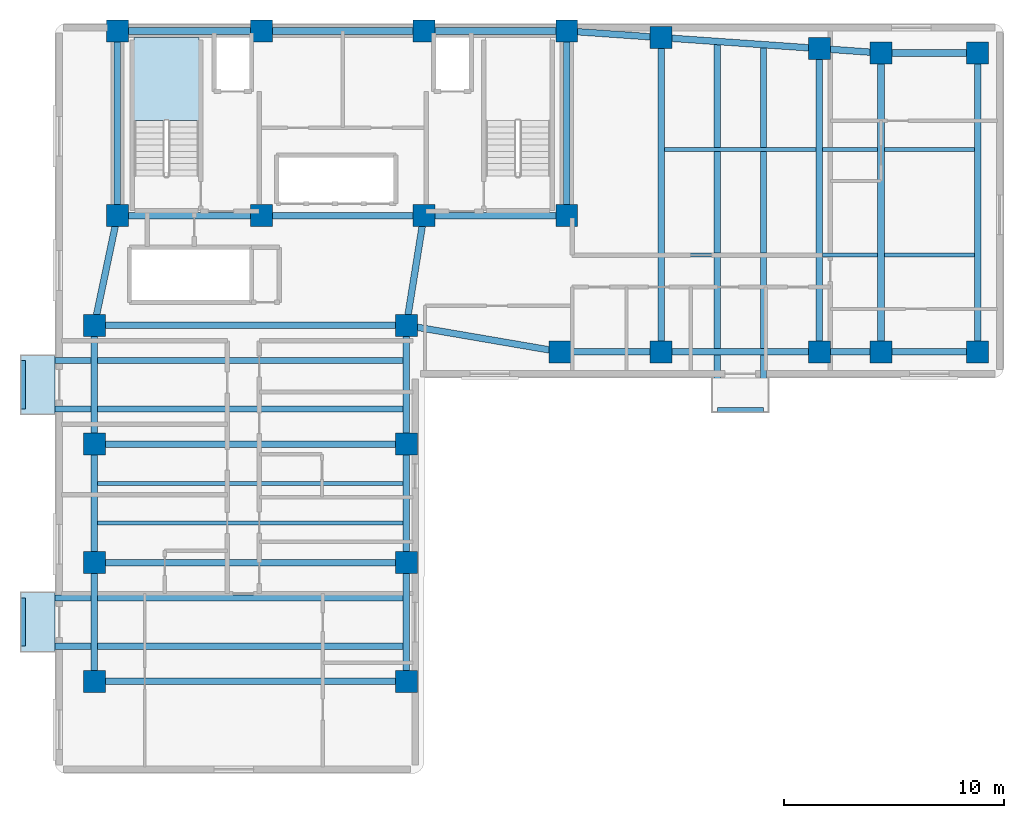
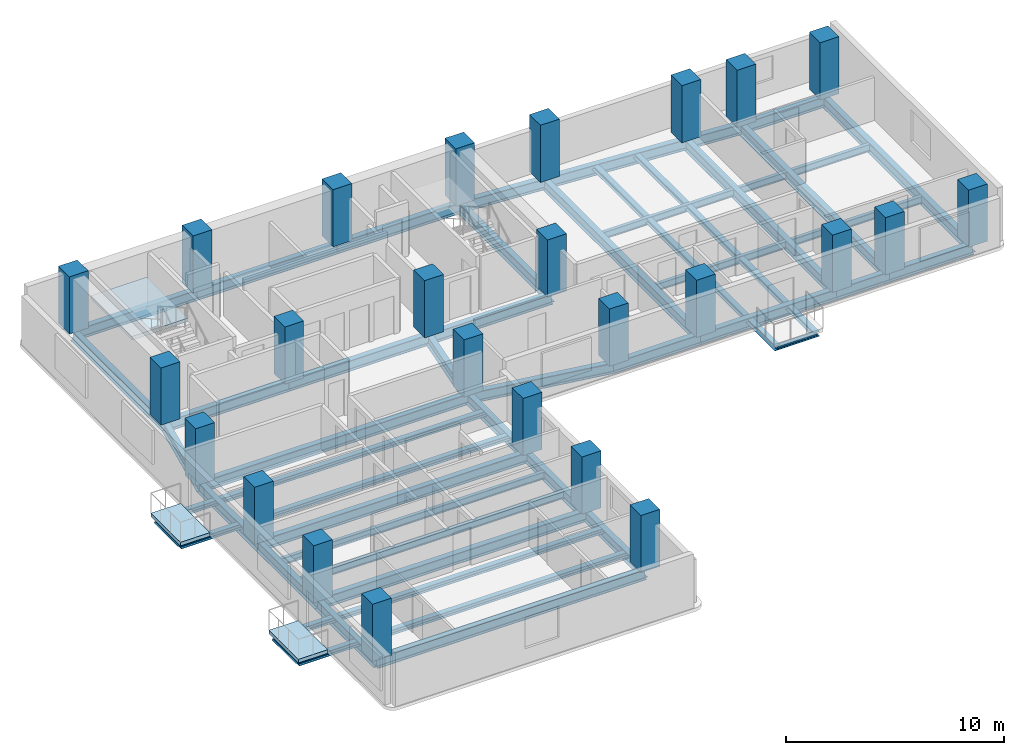
# One storey, part 1 of 7: 50 beams, 25 columns, 3 slabs, 1 element without a shape of its own.
"""IFC4 building model written with IfcOpenShell, lengths in metres."""

from ifc_helpers import new_model, si_unit, direction, frame, origin, origin_2d, place, context, subcontext, project, spatial, polyline, rectangle, i_section, outline, extrude, material, layer, layer_set, material_profile, profile_set, type_object, element, aggregate, save


model = new_model("IFC4")

# Units and contexts
model_context = context("Model", 3, precision=1e-05, world=origin(), true_north=direction((0.0, 1.0)))
body_context = subcontext(model_context, "Body", "Model", "MODEL_VIEW")
ifc_project = project(units=[si_unit("LENGTHUNIT", "METRE"), si_unit("AREAUNIT", "SQUARE_METRE"), si_unit("VOLUMEUNIT", "CUBIC_METRE"), si_unit("PLANEANGLEUNIT", "RADIAN"), si_unit("MASSUNIT", "GRAM", prefix="KILO")], contexts=[model_context])

# Site, building, storey
site_placement = place(None, origin())
site = spatial("IfcSite", under=ifc_project, at=site_placement, CompositionType="ELEMENT")
building_placement = place(site_placement, origin())
building = spatial("IfcBuilding", under=site, at=building_placement, Name="Kuzgunbayir Cultural Tower", CompositionType="ELEMENT")
storey_placement = place(building_placement, frame((0.0, 0.0, 120.199951171875)))
storey = spatial("IfcBuildingStorey", under=building, at=storey_placement, Name="L34", CompositionType="ELEMENT", Elevation=120.199951171875)

# Columns
ifc_material_1 = material(Name="Concrete C50/60", Category="concrete")
ifc_material_profile_1 = material_profile(ifc_material_1, rectangle(XDim=1.0, YDim=1.0, at=origin_2d()), Name="RC 1000x1000")
ifc_profile_set_1 = profile_set([ifc_material_profile_1], Name="Concrete C50/60")
column_type_1 = type_object("IfcColumnType", Name="COL-CORE-1000", PredefinedType="COLUMN", material=ifc_profile_set_1)
for number, where, z_axis, x_axis, name in (
    (1, (6.449951171875, 33.800048828125, 0.0), (0.0, 0.0, 1.0), (1.0, 0.0, 0.0), "L34 T1 Core Boundary Column CC1-1"),
    (2, (13.0, 33.800048828125, 0.0), (0.0, 0.0, 1.0), (1.0, 0.0, 0.0), "L34 T1 Core Boundary Column CC1-2"),
    (3, (20.39990234375, 33.800048828125, 0.0), (0.0, 0.0, 1.0), (1.0, 0.0, 0.0), "L34 T1 Core Boundary Column CC1-3"),
    (4, (26.89990234375, 33.800048828125, 0.0), (0.0, 0.0, 1.0), (1.0, 0.0, 0.0), "L34 T1 Core Boundary Column CC1-4"),
    (5, (6.449951171875, 42.199951171875, 0.0), (0.0, 0.0, 1.0), (1.0, 0.0, 0.0), "L34 T1 Core Boundary Column CC1-5"),
    (6, (13.0, 42.199951171875, 0.0), (0.0, 0.0, 1.0), (1.0, 0.0, 0.0), "L34 T1 Core Boundary Column CC1-6"),
    (7, (20.39990234375, 42.199951171875, 0.0), (0.0, 0.0, 1.0), (1.0, 0.0, 0.0), "L34 T1 Core Boundary Column CC1-7"),
    (8, (26.89990234375, 42.199951171875, 0.0), (0.0, 0.0, 1.0), (1.0, 0.0, 0.0), "L34 T1 Core Boundary Column CC1-8"),
):
    element("IfcColumn", number, at=place(storey_placement, frame(where, z_axis=z_axis, x_axis=x_axis)), inside=storey, type_object=column_type_1, Name=name, PredefinedType="COLUMN", context=body_context, shape_type="SweptSolid", body=[
        extrude(rectangle(XDim=1.0, YDim=1.0, at=origin_2d()), origin(), (0.0, 0.0, 1.0), 3.199951171875),
    ])
ifc_material_profile_2 = material_profile(ifc_material_1, rectangle(XDim=1.0, YDim=1.0, at=origin_2d()), Name="RC 1000x1000")
ifc_profile_set_2 = profile_set([ifc_material_profile_2], Name="Concrete C50/60")
column_type_2 = type_object("IfcColumnType", Name="COL-T1-1000", PredefinedType="COLUMN", material=ifc_profile_set_2)
for number, where, z_axis, x_axis, name in (
    (9, (5.39990234375, 12.60009765625, 0.0), (0.0, 0.0, 1.0), (1.0, 0.0, 0.0), "L34 Tower 1 Wing A Column T1A-W-1"),
    (10, (19.60009765625, 12.60009765625, 0.0), (0.0, 0.0, 1.0), (1.0, 0.0, 0.0), "L34 Tower 1 Wing A Column T1A-E-1"),
    (11, (5.39990234375, 18.0, 0.0), (0.0, 0.0, 1.0), (1.0, 0.0, 0.0), "L34 Tower 1 Wing A Column T1A-W-2"),
    (12, (19.60009765625, 18.0, 0.0), (0.0, 0.0, 1.0), (1.0, 0.0, 0.0), "L34 Tower 1 Wing A Column T1A-E-2"),
    (13, (5.39990234375, 23.39990234375, 0.0), (0.0, 0.0, 1.0), (1.0, 0.0, 0.0), "L34 Tower 1 Wing A Column T1A-W-3"),
    (14, (19.60009765625, 23.39990234375, 0.0), (0.0, 0.0, 1.0), (1.0, 0.0, 0.0), "L34 Tower 1 Wing A Column T1A-E-3"),
    (15, (5.39990234375, 28.800048828125, 0.0), (0.0, 0.0, 1.0), (1.0, 0.0, 0.0), "L34 Tower 1 Wing A Column T1A-W-4"),
    (16, (19.60009765625, 28.800048828125, 0.0), (0.0, 0.0, 1.0), (1.0, 0.0, 0.0), "L34 Tower 1 Wing A Column T1A-E-4"),
    (17, (26.60009765625, 27.60009765625, 0.0), (0.0, 0.0, 1.0), (1.0, 0.0, 0.0), "L34 Tower 1 Wing B Column T1B-1-1"),
    (18, (31.199951171875, 27.60009765625, 0.0), (0.0, 0.0, 1.0), (1.0, 0.0, 0.0), "L34 Tower 1 Wing B Column T1B-2-1"),
    (19, (31.199951171875, 41.89990234375, 0.0), (0.0, 0.0, 1.0), (1.0, 0.0, 0.0), "L34 Tower 1 Wing B Column T1B-2-2"),
    (20, (38.39990234375, 27.60009765625, 0.0), (0.0, 0.0, 1.0), (1.0, 0.0, 0.0), "L34 Tower 1 Wing B Column T1B-3-1"),
    (21, (38.39990234375, 41.39990234375, 0.0), (0.0, 0.0, 1.0), (1.0, 0.0, 0.0), "L34 Tower 1 Wing B Column T1B-3-2"),
    (22, (41.199951171875, 27.60009765625, 0.0), (0.0, 0.0, 1.0), (1.0, 0.0, 0.0), "L34 Tower 1 Wing B Column T1B-4-1"),
    (23, (41.199951171875, 41.199951171875, 0.0), (0.0, 0.0, 1.0), (1.0, 0.0, 0.0), "L34 Tower 1 Wing B Column T1B-4-2"),
    (24, (45.60009765625, 27.60009765625, 0.0), (0.0, 0.0, 1.0), (1.0, 0.0, 0.0), "L34 Tower 1 Wing B Column T1B-5-1"),
    (25, (45.60009765625, 41.199951171875, 0.0), (0.0, 0.0, 1.0), (1.0, 0.0, 0.0), "L34 Tower 1 Wing B Column T1B-5-2"),
):
    element("IfcColumn", number, at=place(storey_placement, frame(where, z_axis=z_axis, x_axis=x_axis)), inside=storey, type_object=column_type_2, Name=name, PredefinedType="COLUMN", context=body_context, shape_type="SweptSolid", body=[
        extrude(rectangle(XDim=1.0, YDim=1.0, at=origin_2d()), origin(), (0.0, 0.0, 1.0), 3.199951171875),
    ])

# Beams
ifc_material_2 = material(Name="Steel S355J2", Category="steel")
ifc_material_profile_3 = material_profile(ifc_material_2, i_section(OverallWidth=0.280029296875, OverallDepth=0.280029296875, WebThickness=0.010498046875, FlangeThickness=0.01806640625, FilletRadius=0.02392578125, at=origin_2d()), Name="HEB 280")
ifc_profile_set_3 = profile_set([ifc_material_profile_3], Name="Steel S355J2")
beam_type_1 = type_object("IfcBeamType", Name="BM-BAL-HEB280", PredefinedType="BEAM", material=ifc_profile_set_3)
for number, where, z_axis, x_axis, name in (
    (26, (2.159912109375, 14.199951171875, -0.33984375), (1.0, 0.0, 0.0), (0.0, 1.0, 0.0), "L34 Balcony Outrigger Beam BAL-L34-WA1.1"),
    (27, (2.159912109375, 16.39990234375, -0.33984375), (1.0, 0.0, 0.0), (0.0, 1.0, 0.0), "L34 Balcony Outrigger Beam BAL-L34-WA1.2"),
    (28, (2.159912109375, 25.0, -0.33984375), (1.0, 0.0, 0.0), (0.0, 1.0, 0.0), "L34 Balcony Outrigger Beam BAL-L34-WA3.1"),
    (29, (2.159912109375, 27.199951171875, -0.33984375), (1.0, 0.0, 0.0), (0.0, 1.0, 0.0), "L34 Balcony Outrigger Beam BAL-L34-WA3.2"),
):
    element("IfcBeam", number, at=place(storey_placement, frame(where, z_axis=z_axis, x_axis=x_axis)), inside=storey, type_object=beam_type_1, Name=name, PredefinedType="BEAM", context=body_context, shape_type="SweptSolid", body=[
        extrude(i_section(OverallWidth=0.280029296875, OverallDepth=0.280029296875, WebThickness=0.010498046875, FlangeThickness=0.01806640625, FilletRadius=0.02392578125, at=origin_2d()), origin(), (0.0, 0.0, 1.0), 17.440185546875),
    ])
beam_1_placement = place(storey_placement, frame((33.75, 24.9599609375, -0.33984375), z_axis=(0.0, 1.0, 0.0), x_axis=(-1.0, 0.0, 0.0)))
element("IfcBeam", 30, at=beam_1_placement, inside=storey, type_object=beam_type_1, Name="L34 Balcony Outrigger Beam BAL-L34-WB2.1", PredefinedType="BEAM", context=body_context, shape_type="SweptSolid", body=[
    extrude(i_section(OverallWidth=0.280029296875, OverallDepth=0.280029296875, WebThickness=0.010498046875, FlangeThickness=0.01806640625, FilletRadius=0.02392578125, at=origin_2d()), origin(), (0.0, 0.0, 1.0), 16.760009765625),
])
beam_2_placement = place(storey_placement, frame((35.85009765625, 24.9599609375, -0.33984375), z_axis=(0.0, 1.0, 0.0), x_axis=(-1.0, 0.0, 0.0)))
element("IfcBeam", 31, at=beam_2_placement, inside=storey, type_object=beam_type_1, Name="L34 Balcony Outrigger Beam BAL-L34-WB2.2", PredefinedType="BEAM", context=body_context, shape_type="SweptSolid", body=[
    extrude(i_section(OverallWidth=0.280029296875, OverallDepth=0.280029296875, WebThickness=0.010498046875, FlangeThickness=0.01806640625, FilletRadius=0.02392578125, at=origin_2d()), origin(), (0.0, 0.0, 1.0), 16.6201171875),
])
ifc_material_profile_4 = material_profile(ifc_material_2, i_section(OverallWidth=0.199951171875, OverallDepth=0.199951171875, WebThickness=0.009033203125, FlangeThickness=0.014892578125, FilletRadius=0.01806640625, at=origin_2d()), Name="HEB 200")
ifc_profile_set_4 = profile_set([ifc_material_profile_4], Name="Steel S355J2")
beam_type_2 = type_object("IfcBeamType", Name="BM-CAN-HEB200", PredefinedType="BEAM", material=ifc_profile_set_4)
for number, where, z_axis, x_axis, name in (
    (32, (2.159912109375, 14.199951171875, -0.300048828125), (0.0, 1.0, 0.0), (-1.0, 0.0, 0.0), "L34 Balcony Edge Header BAL-L34-WA1"),
    (33, (2.159912109375, 25.0, -0.300048828125), (0.0, 1.0, 0.0), (-1.0, 0.0, 0.0), "L34 Balcony Edge Header BAL-L34-WA3"),
):
    element("IfcBeam", number, at=place(storey_placement, frame(where, z_axis=z_axis, x_axis=x_axis)), inside=storey, type_object=beam_type_2, Name=name, PredefinedType="BEAM", context=body_context, shape_type="SweptSolid", body=[
        extrude(i_section(OverallWidth=0.199951171875, OverallDepth=0.199951171875, WebThickness=0.009033203125, FlangeThickness=0.014892578125, FilletRadius=0.01806640625, at=origin_2d()), origin(), (0.0, 0.0, 1.0), 2.199951171875),
    ])
beam_3_placement = place(storey_placement, frame((33.75, 24.9599609375, -0.300048828125), z_axis=(1.0, 0.0, 0.0), x_axis=(0.0, 1.0, 0.0)))
element("IfcBeam", 34, at=beam_3_placement, inside=storey, type_object=beam_type_2, Name="L34 Balcony Edge Header BAL-L34-WB2", PredefinedType="BEAM", context=body_context, shape_type="SweptSolid", body=[
    extrude(i_section(OverallWidth=0.199951171875, OverallDepth=0.199951171875, WebThickness=0.009033203125, FlangeThickness=0.014892578125, FilletRadius=0.01806640625, at=origin_2d()), origin(), (0.0, 0.0, 1.0), 2.10009765625),
])
ifc_material_profile_5 = material_profile(ifc_material_2, i_section(OverallWidth=0.300048828125, OverallDepth=0.60009765625, WebThickness=0.015380859375, FlangeThickness=0.030029296875, FilletRadius=0.027099609375, at=origin_2d()), Name="HEB 600")
ifc_profile_set_5 = profile_set([ifc_material_profile_5], Name="Steel S355J2")
beam_type_3 = type_object("IfcBeamType", Name="BM-EXT-HEB600", PredefinedType="BEAM", material=ifc_profile_set_5)
for number, where, z_axis, x_axis, name in (
    (35, (5.39990234375, 12.60009765625, -0.47998046875), (0.0, 1.0, 0.0), (-1.0, 0.0, 0.0), "L34 Wing A West Girder 1"),
    (36, (19.60009765625, 12.60009765625, -0.47998046875), (0.0, 1.0, 0.0), (-1.0, 0.0, 0.0), "L34 Wing A East Girder 1"),
    (37, (5.39990234375, 18.0, -0.47998046875), (0.0, 1.0, 0.0), (-1.0, 0.0, 0.0), "L34 Wing A West Girder 2"),
    (38, (19.60009765625, 18.0, -0.47998046875), (0.0, 1.0, 0.0), (-1.0, 0.0, 0.0), "L34 Wing A East Girder 2"),
):
    element("IfcBeam", number, at=place(storey_placement, frame(where, z_axis=z_axis, x_axis=x_axis)), inside=storey, type_object=beam_type_3, Name=name, PredefinedType="BEAM", context=body_context, shape_type="SweptSolid", body=[
        extrude(i_section(OverallWidth=0.300048828125, OverallDepth=0.60009765625, WebThickness=0.015380859375, FlangeThickness=0.030029296875, FilletRadius=0.027099609375, at=origin_2d()), origin(), (0.0, 0.0, 1.0), 5.39990234375),
    ])
for number, where, z_axis, x_axis, name in (
    (39, (5.39990234375, 23.39990234375, -0.47998046875), (0.0, 1.0, 0.0), (-1.0, 0.0, 0.0), "L34 Wing A West Girder 3"),
    (40, (19.60009765625, 23.39990234375, -0.47998046875), (0.0, 1.0, 0.0), (-1.0, 0.0, 0.0), "L34 Wing A East Girder 3"),
):
    element("IfcBeam", number, at=place(storey_placement, frame(where, z_axis=z_axis, x_axis=x_axis)), inside=storey, type_object=beam_type_3, Name=name, PredefinedType="BEAM", context=body_context, shape_type="SweptSolid", body=[
        extrude(i_section(OverallWidth=0.300048828125, OverallDepth=0.60009765625, WebThickness=0.015380859375, FlangeThickness=0.030029296875, FilletRadius=0.027099609375, at=origin_2d()), origin(), (0.0, 0.0, 1.0), 5.400146484375),
    ])
beam_4_placement = place(storey_placement, frame((26.60009765625, 27.60009765625, -0.47998046875), z_axis=(1.0, 0.0, 0.0), x_axis=(0.0, 1.0, 0.0)))
element("IfcBeam", 41, at=beam_4_placement, inside=storey, type_object=beam_type_3, Name="L34 Wing B South Girder 1", PredefinedType="BEAM", context=body_context, shape_type="SweptSolid", body=[
    extrude(i_section(OverallWidth=0.300048828125, OverallDepth=0.60009765625, WebThickness=0.015380859375, FlangeThickness=0.030029296875, FilletRadius=0.027099609375, at=origin_2d()), origin(), (0.0, 0.0, 1.0), 4.599853515625),
])
beam_5_placement = place(storey_placement, frame((26.89990234375, 42.199951171875, -0.47998046875), z_axis=(0.997574369175, -0.069608749203, 0.0), x_axis=(0.069608749203, 0.997574369175, 0.0)))
element("IfcBeam", 42, at=beam_5_placement, inside=storey, type_object=beam_type_3, Name="L34 Wing B North Girder 1", PredefinedType="BEAM", context=body_context, shape_type="SweptSolid", body=[
    extrude(i_section(OverallWidth=0.300048828125, OverallDepth=0.60009765625, WebThickness=0.015380859375, FlangeThickness=0.030029296875, FilletRadius=0.027099609375, at=origin_2d()), origin(), (0.0, 0.0, 1.0), 4.310546875),
])
beam_6_placement = place(storey_placement, frame((31.199951171875, 27.60009765625, -0.47998046875), z_axis=(1.0, 0.0, 0.0), x_axis=(0.0, 1.0, 0.0)))
element("IfcBeam", 43, at=beam_6_placement, inside=storey, type_object=beam_type_3, Name="L34 Wing B South Girder 2", PredefinedType="BEAM", context=body_context, shape_type="SweptSolid", body=[
    extrude(i_section(OverallWidth=0.300048828125, OverallDepth=0.60009765625, WebThickness=0.015380859375, FlangeThickness=0.030029296875, FilletRadius=0.027099609375, at=origin_2d()), origin(), (0.0, 0.0, 1.0), 7.199951171875),
])
beam_7_placement = place(storey_placement, frame((31.199951171875, 41.89990234375, -0.47998046875), z_axis=(0.997597388498, -0.069278066245, 0.0), x_axis=(0.069278066245, 0.997597388498, 0.0)))
element("IfcBeam", 44, at=beam_7_placement, inside=storey, type_object=beam_type_3, Name="L34 Wing B North Girder 2", PredefinedType="BEAM", context=body_context, shape_type="SweptSolid", body=[
    extrude(i_section(OverallWidth=0.300048828125, OverallDepth=0.60009765625, WebThickness=0.015380859375, FlangeThickness=0.030029296875, FilletRadius=0.027099609375, at=origin_2d()), origin(), (0.0, 0.0, 1.0), 7.21728515625),
])
beam_8_placement = place(storey_placement, frame((38.39990234375, 27.60009765625, -0.47998046875), z_axis=(1.0, 0.0, 0.0), x_axis=(0.0, 1.0, 0.0)))
element("IfcBeam", 45, at=beam_8_placement, inside=storey, type_object=beam_type_3, Name="L34 Wing B South Girder 3", PredefinedType="BEAM", context=body_context, shape_type="SweptSolid", body=[
    extrude(i_section(OverallWidth=0.300048828125, OverallDepth=0.60009765625, WebThickness=0.015380859375, FlangeThickness=0.030029296875, FilletRadius=0.027099609375, at=origin_2d()), origin(), (0.0, 0.0, 1.0), 2.800048828125),
])
beam_9_placement = place(storey_placement, frame((38.39990234375, 41.39990234375, -0.47998046875), z_axis=(0.997460024076, -0.071228508128, 0.0), x_axis=(0.071228508128, 0.997460024076, 0.0)))
element("IfcBeam", 46, at=beam_9_placement, inside=storey, type_object=beam_type_3, Name="L34 Wing B North Girder 3", PredefinedType="BEAM", context=body_context, shape_type="SweptSolid", body=[
    extrude(i_section(OverallWidth=0.300048828125, OverallDepth=0.60009765625, WebThickness=0.015380859375, FlangeThickness=0.030029296875, FilletRadius=0.027099609375, at=origin_2d()), origin(), (0.0, 0.0, 1.0), 2.80712890625),
])
for number, where, z_axis, x_axis, name in (
    (47, (41.199951171875, 27.60009765625, -0.47998046875), (1.0, 0.0, 0.0), (0.0, 1.0, 0.0), "L34 Wing B South Girder 4"),
    (48, (41.199951171875, 41.199951171875, -0.47998046875), (1.0, 0.0, 0.0), (0.0, 1.0, 0.0), "L34 Wing B North Girder 4"),
):
    element("IfcBeam", number, at=place(storey_placement, frame(where, z_axis=z_axis, x_axis=x_axis)), inside=storey, type_object=beam_type_3, Name=name, PredefinedType="BEAM", context=body_context, shape_type="SweptSolid", body=[
        extrude(i_section(OverallWidth=0.300048828125, OverallDepth=0.60009765625, WebThickness=0.015380859375, FlangeThickness=0.030029296875, FilletRadius=0.027099609375, at=origin_2d()), origin(), (0.0, 0.0, 1.0), 4.400146484375),
    ])
ifc_material_profile_6 = material_profile(ifc_material_2, i_section(OverallWidth=0.300048828125, OverallDepth=0.60009765625, WebThickness=0.015380859375, FlangeThickness=0.030029296875, FilletRadius=0.027099609375, at=origin_2d()), Name="HEB 600")
ifc_profile_set_6 = profile_set([ifc_material_profile_6], Name="Steel S355J2")
beam_type_4 = type_object("IfcBeamType", Name="BM-GIR-HEB600", PredefinedType="BEAM", material=ifc_profile_set_6)
beam_10_placement = place(storey_placement, frame((6.449951171875, 33.800048828125, -0.47998046875), z_axis=(1.0, 0.0, 0.0), x_axis=(0.0, 1.0, 0.0)))
element("IfcBeam", 49, at=beam_10_placement, inside=storey, type_object=beam_type_4, Name="L34 Core South Girder 1", PredefinedType="BEAM", context=body_context, shape_type="SweptSolid", body=[
    extrude(i_section(OverallWidth=0.300048828125, OverallDepth=0.60009765625, WebThickness=0.015380859375, FlangeThickness=0.030029296875, FilletRadius=0.027099609375, at=origin_2d()), origin(), (0.0, 0.0, 1.0), 6.550048828125),
])
beam_11_placement = place(storey_placement, frame((13.0, 33.800048828125, -0.47998046875), z_axis=(1.0, 0.0, 0.0), x_axis=(0.0, 1.0, 0.0)))
element("IfcBeam", 50, at=beam_11_placement, inside=storey, type_object=beam_type_4, Name="L34 Core South Girder 2", PredefinedType="BEAM", context=body_context, shape_type="SweptSolid", body=[
    extrude(i_section(OverallWidth=0.300048828125, OverallDepth=0.60009765625, WebThickness=0.015380859375, FlangeThickness=0.030029296875, FilletRadius=0.027099609375, at=origin_2d()), origin(), (0.0, 0.0, 1.0), 7.39990234375),
])
beam_12_placement = place(storey_placement, frame((20.39990234375, 33.800048828125, -0.47998046875), z_axis=(1.0, 0.0, 0.0), x_axis=(0.0, 1.0, 0.0)))
element("IfcBeam", 51, at=beam_12_placement, inside=storey, type_object=beam_type_4, Name="L34 Core South Girder 3", PredefinedType="BEAM", context=body_context, shape_type="SweptSolid", body=[
    extrude(i_section(OverallWidth=0.300048828125, OverallDepth=0.60009765625, WebThickness=0.015380859375, FlangeThickness=0.030029296875, FilletRadius=0.027099609375, at=origin_2d()), origin(), (0.0, 0.0, 1.0), 6.5),
])
beam_13_placement = place(storey_placement, frame((6.449951171875, 42.199951171875, -0.47998046875), z_axis=(1.0, 0.0, 0.0), x_axis=(0.0, 1.0, 0.0)))
element("IfcBeam", 52, at=beam_13_placement, inside=storey, type_object=beam_type_4, Name="L34 Core North Girder 1", PredefinedType="BEAM", context=body_context, shape_type="SweptSolid", body=[
    extrude(i_section(OverallWidth=0.300048828125, OverallDepth=0.60009765625, WebThickness=0.015380859375, FlangeThickness=0.030029296875, FilletRadius=0.027099609375, at=origin_2d()), origin(), (0.0, 0.0, 1.0), 6.550048828125),
])
beam_14_placement = place(storey_placement, frame((13.0, 42.199951171875, -0.47998046875), z_axis=(1.0, 0.0, 0.0), x_axis=(0.0, 1.0, 0.0)))
element("IfcBeam", 53, at=beam_14_placement, inside=storey, type_object=beam_type_4, Name="L34 Core North Girder 2", PredefinedType="BEAM", context=body_context, shape_type="SweptSolid", body=[
    extrude(i_section(OverallWidth=0.300048828125, OverallDepth=0.60009765625, WebThickness=0.015380859375, FlangeThickness=0.030029296875, FilletRadius=0.027099609375, at=origin_2d()), origin(), (0.0, 0.0, 1.0), 7.39990234375),
])
beam_15_placement = place(storey_placement, frame((20.39990234375, 42.199951171875, -0.47998046875), z_axis=(1.0, 0.0, 0.0), x_axis=(0.0, 1.0, 0.0)))
element("IfcBeam", 54, at=beam_15_placement, inside=storey, type_object=beam_type_4, Name="L34 Core North Girder 3", PredefinedType="BEAM", context=body_context, shape_type="SweptSolid", body=[
    extrude(i_section(OverallWidth=0.300048828125, OverallDepth=0.60009765625, WebThickness=0.015380859375, FlangeThickness=0.030029296875, FilletRadius=0.027099609375, at=origin_2d()), origin(), (0.0, 0.0, 1.0), 6.5),
])
for number, where, z_axis, x_axis, name in (
    (55, (6.449951171875, 33.800048828125, -0.47998046875), (0.0, 1.0, 0.0), (-1.0, 0.0, 0.0), "L34 Core West Edge Girder"),
    (56, (26.89990234375, 33.800048828125, -0.47998046875), (0.0, 1.0, 0.0), (-1.0, 0.0, 0.0), "L34 Core East Edge Girder"),
):
    element("IfcBeam", number, at=place(storey_placement, frame(where, z_axis=z_axis, x_axis=x_axis)), inside=storey, type_object=beam_type_4, Name=name, PredefinedType="BEAM", context=body_context, shape_type="SweptSolid", body=[
        extrude(i_section(OverallWidth=0.300048828125, OverallDepth=0.60009765625, WebThickness=0.015380859375, FlangeThickness=0.030029296875, FilletRadius=0.027099609375, at=origin_2d()), origin(), (0.0, 0.0, 1.0), 8.39990234375),
    ])
for number, where, z_axis, x_axis, name in (
    (57, (5.39990234375, 12.60009765625, -0.47998046875), (1.0, 0.0, 0.0), (0.0, 1.0, 0.0), "L34 Wing A Transverse Girder 1"),
    (58, (5.39990234375, 18.0, -0.47998046875), (1.0, 0.0, 0.0), (0.0, 1.0, 0.0), "L34 Wing A Transverse Girder 2"),
    (59, (5.39990234375, 23.39990234375, -0.47998046875), (1.0, 0.0, 0.0), (0.0, 1.0, 0.0), "L34 Wing A Transverse Girder 3"),
    (60, (5.39990234375, 28.800048828125, -0.47998046875), (1.0, 0.0, 0.0), (0.0, 1.0, 0.0), "L34 Wing A Transverse Girder 4"),
):
    element("IfcBeam", number, at=place(storey_placement, frame(where, z_axis=z_axis, x_axis=x_axis)), inside=storey, type_object=beam_type_4, Name=name, PredefinedType="BEAM", context=body_context, shape_type="SweptSolid", body=[
        extrude(i_section(OverallWidth=0.300048828125, OverallDepth=0.60009765625, WebThickness=0.015380859375, FlangeThickness=0.030029296875, FilletRadius=0.027099609375, at=origin_2d()), origin(), (0.0, 0.0, 1.0), 14.2001953125),
    ])
beam_16_placement = place(storey_placement, frame((5.39990234375, 28.800048828125, -0.47998046875), z_axis=(0.205526387753, 0.978651574329, 0.0), x_axis=(-0.978651574329, 0.205526387753, 0.0)))
element("IfcBeam", 61, at=beam_16_placement, inside=storey, type_object=beam_type_4, Name="L34 Wing A West Core Floor Girder", PredefinedType="BEAM", context=body_context, shape_type="SweptSolid", body=[
    extrude(i_section(OverallWidth=0.300048828125, OverallDepth=0.60009765625, WebThickness=0.015380859375, FlangeThickness=0.030029296875, FilletRadius=0.027099609375, at=origin_2d()), origin(), (0.0, 0.0, 1.0), 5.109130859375),
])
beam_17_placement = place(storey_placement, frame((19.60009765625, 28.800048828125, -0.47998046875), z_axis=(0.157952891656, 0.987446648694, 0.0), x_axis=(-0.987446648694, 0.157952891656, 0.0)))
element("IfcBeam", 62, at=beam_17_placement, inside=storey, type_object=beam_type_4, Name="L34 Wing A East Core Floor Girder", PredefinedType="BEAM", context=body_context, shape_type="SweptSolid", body=[
    extrude(i_section(OverallWidth=0.300048828125, OverallDepth=0.60009765625, WebThickness=0.015380859375, FlangeThickness=0.030029296875, FilletRadius=0.027099609375, at=origin_2d()), origin(), (0.0, 0.0, 1.0), 5.0634765625),
])
beam_18_placement = place(storey_placement, frame((31.199951171875, 27.60009765625, -0.47998046875), z_axis=(0.0, 1.0, 0.0), x_axis=(-1.0, 0.0, 0.0)))
element("IfcBeam", 63, at=beam_18_placement, inside=storey, type_object=beam_type_4, Name="L34 Wing B Cross Girder 31", PredefinedType="BEAM", context=body_context, shape_type="SweptSolid", body=[
    extrude(i_section(OverallWidth=0.300048828125, OverallDepth=0.60009765625, WebThickness=0.015380859375, FlangeThickness=0.030029296875, FilletRadius=0.027099609375, at=origin_2d()), origin(), (0.0, 0.0, 1.0), 14.2998046875),
])
beam_19_placement = place(storey_placement, frame((38.39990234375, 27.60009765625, -0.47998046875), z_axis=(0.0, 1.0, 0.0), x_axis=(-1.0, 0.0, 0.0)))
element("IfcBeam", 64, at=beam_19_placement, inside=storey, type_object=beam_type_4, Name="L34 Wing B Cross Girder 38", PredefinedType="BEAM", context=body_context, shape_type="SweptSolid", body=[
    extrude(i_section(OverallWidth=0.300048828125, OverallDepth=0.60009765625, WebThickness=0.015380859375, FlangeThickness=0.030029296875, FilletRadius=0.027099609375, at=origin_2d()), origin(), (0.0, 0.0, 1.0), 13.7998046875),
])
for number, where, z_axis, x_axis, name in (
    (65, (41.199951171875, 27.60009765625, -0.47998046875), (0.0, 1.0, 0.0), (-1.0, 0.0, 0.0), "L34 Wing B Cross Girder 41"),
    (66, (45.60009765625, 27.60009765625, -0.47998046875), (0.0, 1.0, 0.0), (-1.0, 0.0, 0.0), "L34 Wing B Cross Girder 45"),
):
    element("IfcBeam", number, at=place(storey_placement, frame(where, z_axis=z_axis, x_axis=x_axis)), inside=storey, type_object=beam_type_4, Name=name, PredefinedType="BEAM", context=body_context, shape_type="SweptSolid", body=[
        extrude(i_section(OverallWidth=0.300048828125, OverallDepth=0.60009765625, WebThickness=0.015380859375, FlangeThickness=0.030029296875, FilletRadius=0.027099609375, at=origin_2d()), origin(), (0.0, 0.0, 1.0), 13.599853515625),
    ])
beam_20_placement = place(storey_placement, frame((19.60009765625, 28.800048828125, -0.47998046875), z_axis=(0.985623399742, -0.168957136221, 0.0), x_axis=(0.168957136221, 0.985623399742, 0.0)))
element("IfcBeam", 67, at=beam_20_placement, inside=storey, type_object=beam_type_4, Name="L34 Wing B Waist Tie Girder", PredefinedType="BEAM", context=body_context, shape_type="SweptSolid", body=[
    extrude(i_section(OverallWidth=0.300048828125, OverallDepth=0.60009765625, WebThickness=0.015380859375, FlangeThickness=0.030029296875, FilletRadius=0.027099609375, at=origin_2d()), origin(), (0.0, 0.0, 1.0), 7.10205078125),
])
ifc_material_profile_7 = material_profile(ifc_material_2, i_section(OverallWidth=0.179931640625, OverallDepth=0.39990234375, WebThickness=0.008544921875, FlangeThickness=0.013427734375, FilletRadius=0.02099609375, at=origin_2d()), Name="IPE 400")
ifc_profile_set_7 = profile_set([ifc_material_profile_7], Name="Steel S355J2")
beam_type_5 = type_object("IfcBeamType", Name="BM-JST-IPE400", PredefinedType="JOIST", material=ifc_profile_set_7)
for number, where, z_axis, x_axis, name in (
    (68, (5.550048828125, 19.800048828125, -0.3798828125), (1.0, 0.0, 0.0), (0.0, 1.0, 0.0), "L34 Wing A Secondary Joist 3"),
    (69, (5.550048828125, 21.60009765625, -0.3798828125), (1.0, 0.0, 0.0), (0.0, 1.0, 0.0), "L34 Wing A Secondary Joist 4"),
):
    element("IfcBeam", number, at=place(storey_placement, frame(where, z_axis=z_axis, x_axis=x_axis)), inside=storey, type_object=beam_type_5, Name=name, PredefinedType="JOIST", context=body_context, shape_type="SweptSolid", body=[
        extrude(i_section(OverallWidth=0.179931640625, OverallDepth=0.39990234375, WebThickness=0.008544921875, FlangeThickness=0.013427734375, FilletRadius=0.02099609375, at=origin_2d()), origin(), (0.0, 0.0, 1.0), 13.89990234375),
    ])
for number, where, z_axis, x_axis, name in (
    (70, (31.35009765625, 32.0, -0.3798828125), (1.0, 0.0, 0.0), (0.0, 1.0, 0.0), "L34 Wing B Secondary Joist 1.1"),
    (71, (31.35009765625, 36.800048828125, -0.3798828125), (1.0, 0.0, 0.0), (0.0, 1.0, 0.0), "L34 Wing B Secondary Joist 1.2"),
):
    element("IfcBeam", number, at=place(storey_placement, frame(where, z_axis=z_axis, x_axis=x_axis)), inside=storey, type_object=beam_type_5, Name=name, PredefinedType="JOIST", context=body_context, shape_type="SweptSolid", body=[
        extrude(i_section(OverallWidth=0.179931640625, OverallDepth=0.39990234375, WebThickness=0.008544921875, FlangeThickness=0.013427734375, FilletRadius=0.02099609375, at=origin_2d()), origin(), (0.0, 0.0, 1.0), 6.89990234375),
    ])
for number, where, z_axis, x_axis, name in (
    (72, (38.550048828125, 32.0, -0.3798828125), (1.0, 0.0, 0.0), (0.0, 1.0, 0.0), "L34 Wing B Secondary Joist 2.1"),
    (73, (38.550048828125, 36.800048828125, -0.3798828125), (1.0, 0.0, 0.0), (0.0, 1.0, 0.0), "L34 Wing B Secondary Joist 2.2"),
):
    element("IfcBeam", number, at=place(storey_placement, frame(where, z_axis=z_axis, x_axis=x_axis)), inside=storey, type_object=beam_type_5, Name=name, PredefinedType="JOIST", context=body_context, shape_type="SweptSolid", body=[
        extrude(i_section(OverallWidth=0.179931640625, OverallDepth=0.39990234375, WebThickness=0.008544921875, FlangeThickness=0.013427734375, FilletRadius=0.02099609375, at=origin_2d()), origin(), (0.0, 0.0, 1.0), 2.5),
    ])
for number, where, z_axis, x_axis, name in (
    (74, (41.35009765625, 32.0, -0.3798828125), (1.0, 0.0, 0.0), (0.0, 1.0, 0.0), "L34 Wing B Secondary Joist 3.1"),
    (75, (41.35009765625, 36.800048828125, -0.3798828125), (1.0, 0.0, 0.0), (0.0, 1.0, 0.0), "L34 Wing B Secondary Joist 3.2"),
):
    element("IfcBeam", number, at=place(storey_placement, frame(where, z_axis=z_axis, x_axis=x_axis)), inside=storey, type_object=beam_type_5, Name=name, PredefinedType="JOIST", context=body_context, shape_type="SweptSolid", body=[
        extrude(i_section(OverallWidth=0.179931640625, OverallDepth=0.39990234375, WebThickness=0.008544921875, FlangeThickness=0.013427734375, FilletRadius=0.02099609375, at=origin_2d()), origin(), (0.0, 0.0, 1.0), 4.099853515625),
    ])

# Slabs
ifc_material_3 = material(Name="Concrete C40/50", Category="concrete")
ifc_layer_1 = layer(ifc_material_3, 0.199951171875)
ifc_layer_set_1 = layer_set([ifc_layer_1], Name="Concrete C40/50")
slab_type_1 = type_object("IfcSlabType", Name="SLB-BAL-STONE", PredefinedType="FLOOR", material=ifc_layer_set_1)
slab_1_placement = place(storey_placement, frame((0.0, 0.0, -0.199951171875)))
element("IfcSlab", 76, at=slab_1_placement, inside=storey, type_object=slab_type_1, Name="L34 Projecting Limestone Balcony BAL-L34-WA1", PredefinedType="FLOOR", context=body_context, shape_type="SweptSolid", body=[
    extrude(outline(polyline([(2.0400390625, 13.949951171875), (3.60009765625, 13.949951171875), (3.60009765625, 16.64990234375), (2.0400390625, 16.64990234375), (2.0400390625, 13.949951171875)])), origin(), (0.0, 0.0, 1.0), 0.199951171875),
])
slab_2_placement = place(storey_placement, frame((0.0, 0.0, -0.199951171875)))
element("IfcSlab", 77, at=slab_2_placement, inside=storey, type_object=slab_type_1, Name="L34 Projecting Limestone Balcony BAL-L34-WA3", PredefinedType="FLOOR", context=body_context, shape_type="SweptSolid", body=[
    extrude(outline(polyline([(2.0400390625, 24.75), (3.60009765625, 24.75), (3.60009765625, 27.449951171875), (2.0400390625, 27.449951171875), (2.0400390625, 24.75)])), origin(), (0.0, 0.0, 1.0), 0.199951171875),
])

# Stair, slab
stair_type = type_object("IfcStairType", Name="STR-EXIT-CORE", PredefinedType="HALF_TURN_STAIR", material=ifc_material_3)
stair_placement = place(storey_placement, origin())
stair = element("IfcStair", 78, at=stair_placement, inside=storey, type_object=stair_type, Name="L34 ST-1", PredefinedType="HALF_TURN_STAIR")
ifc_layer_2 = layer(ifc_material_3, 0.179931640625)
ifc_layer_set_2 = layer_set([ifc_layer_2], Name="Concrete C40/50")
slab_type_2 = type_object("IfcSlabType", Name="SLB-LANDING-180", PredefinedType="LANDING", material=ifc_layer_set_2)
slab_3_placement = place(storey_placement, frame((0.0, 0.0, 1.400146484375)))
slab_3 = element("IfcSlab", 79, at=slab_3_placement, type_object=slab_type_2, Name="ST-1 landing 1", PredefinedType="LANDING", context=body_context, shape_type="SweptSolid", body=[
    extrude(outline(polyline([(10.159912109375, 38.1201171875), (10.159912109375, 41.89990234375), (7.199951171875, 41.89990234375), (7.199951171875, 38.1201171875), (10.159912109375, 38.1201171875)])), origin(), (0.0, 0.0, 1.0), 0.199951171875),
])
aggregate(stair, [slab_3])

save(model, "model.ifc")
